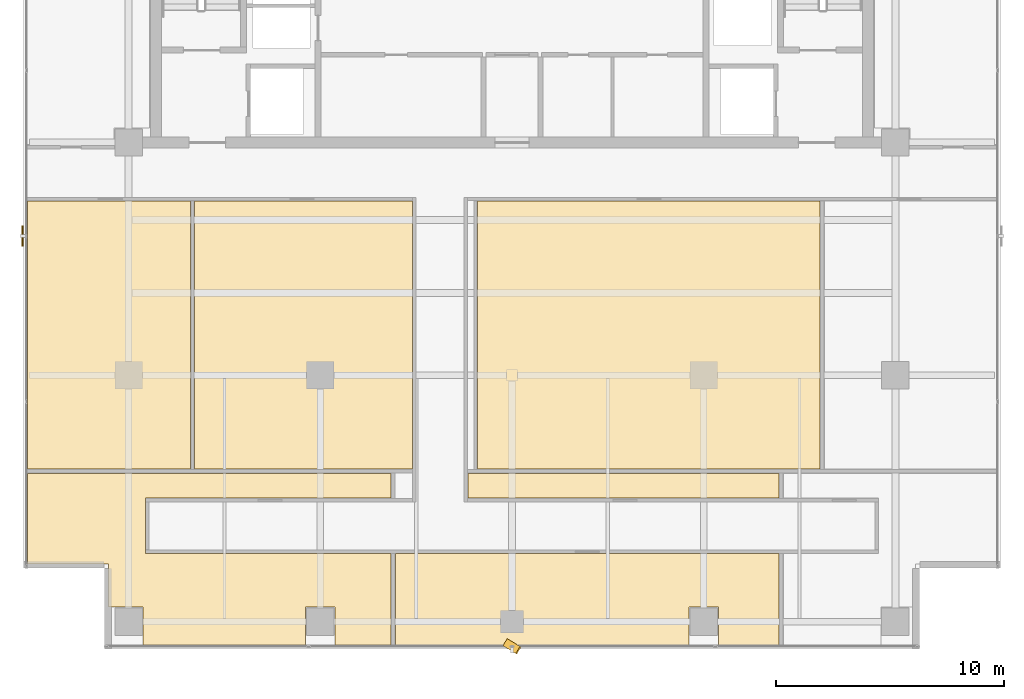
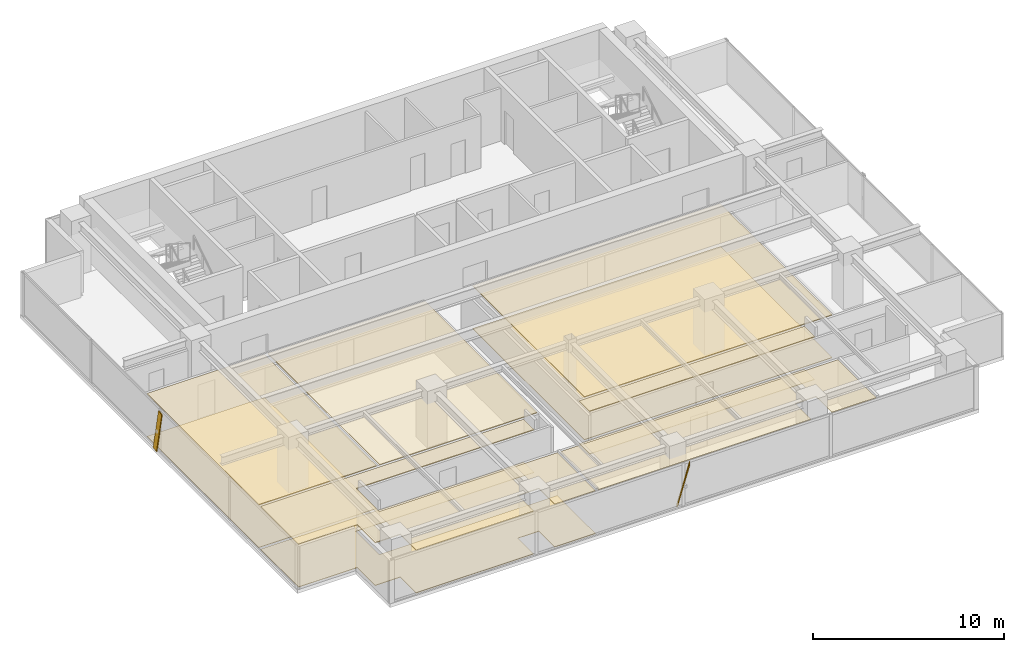
# One storey, part 17 of 20: 10 coverings, 2 shading devices.
"""IFC4 building model written with IfcOpenShell, lengths in metres."""

import ifcopenshell
import ifcopenshell.guid

model = None  # the IFC model being written
_history = None  # IfcOwnerHistory: only IFC2X3 demands one
_inside = {}  # id of a spatial element -> (the spatial element, [elements in it])
_under = {}  # id of a project, library or spatial element -> (it, [spatial elements below it])
_declared = {}  # id of a project -> (the project, [libraries it declares])
_typed = {}  # id of a type object -> (the type object, [elements of that type])
_made_of = {}  # id of a material, layer set ... -> (it, [elements and type objects made of it])


def new_model(schema):
    """Start an empty IFC model of exactly this schema.

    Asked for "IFC4X3", IfcOpenShell would pick the latest addendum, in which some entities
    have other attributes; the version numbers below select the first issue.
    IFC2X3 requires an IfcOwnerHistory on every rooted entity: one is made here for all.
    """
    global model, _history
    if schema == "IFC4X3":
        model = ifcopenshell.file(schema_version=(4, 3, 0, 0))
    else:
        model = ifcopenshell.file(schema=schema)
    _inside.clear()
    _under.clear()
    _declared.clear()
    _typed.clear()
    _made_of.clear()
    _history = None
    if model.schema == "IFC2X3":
        org = make("IfcOrganization", Name="unknown")
        user = make(
            "IfcPersonAndOrganization",
            ThePerson=make("IfcPerson", FamilyName="unknown"),
            TheOrganization=org,
        )
        app = make(
            "IfcApplication",
            ApplicationDeveloper=org,
            Version="unknown",
            ApplicationFullName="unknown",
            ApplicationIdentifier="unknown",
        )
        _history = make(
            "IfcOwnerHistory",
            OwningUser=user,
            OwningApplication=app,
            ChangeAction="ADDED",
            CreationDate=0,
        )
    return model


def make(cls, **values):
    """One entity of the class cls with the attributes given. An attribute that is None is left unset."""
    return model.create_entity(
        cls, **{name: value for name, value in values.items() if value is not None}
    )


def rooted(cls, **values):
    """An entity with a GlobalId (a new one), such as an element, a storey or a relation."""
    return make(cls, GlobalId=ifcopenshell.guid.new(), OwnerHistory=_history, **values)


def si_unit(unit_type, name, prefix=None):
    """IfcSIUnit, for example si_unit("LENGTHUNIT", "METRE", prefix="MILLI")."""
    return make("IfcSIUnit", UnitType=unit_type, Prefix=prefix, Name=name)


def assignment(units):
    """IfcUnitAssignment: the units of a project."""
    return None if units is None else make("IfcUnitAssignment", Units=units)


def point(xyz):
    """IfcCartesianPoint."""
    return None if xyz is None else make("IfcCartesianPoint", Coordinates=xyz)


def direction(xyz):
    """IfcDirection."""
    return None if xyz is None else make("IfcDirection", DirectionRatios=xyz)


def frame(location, z_axis=None, x_axis=None):
    """IfcAxis2Placement3D, a coordinate frame: its origin and axes. An axis left out is left unset."""
    return make(
        "IfcAxis2Placement3D",
        Location=point(location),
        Axis=direction(z_axis),
        RefDirection=direction(x_axis),
    )


def frame_2d(location, x_axis=None):
    """IfcAxis2Placement2D, a coordinate frame in the plane: its origin and x axis."""
    return make(
        "IfcAxis2Placement2D", Location=point(location), RefDirection=direction(x_axis)
    )


def origin():
    """The frame at (0, 0, 0) with its axes left unset."""
    return frame((0.0, 0.0, 0.0))


def origin_2d():
    """The frame at (0, 0) in the plane with its x axis left unset."""
    return frame_2d((0.0, 0.0))


def place(relative_to, where):
    """IfcLocalPlacement: puts the frame where relative to a parent placement (None: the world)."""
    return make(
        "IfcLocalPlacement", PlacementRelTo=relative_to, RelativePlacement=where
    )


def context(
    kind, dimensions, precision=None, world=None, true_north=None, identifier=None
):
    """IfcGeometricRepresentationContext, for example the 3D "Model" context."""
    return make(
        "IfcGeometricRepresentationContext",
        ContextIdentifier=identifier,
        ContextType=kind,
        CoordinateSpaceDimension=dimensions,
        Precision=precision,
        WorldCoordinateSystem=world,
        TrueNorth=true_north,
    )


def subcontext(parent, identifier, kind, view, scale=None):
    """IfcGeometricRepresentationSubContext, for example "Body" below "Model"."""
    return make(
        "IfcGeometricRepresentationSubContext",
        ContextIdentifier=identifier,
        ContextType=kind,
        ParentContext=parent,
        TargetScale=scale,
        TargetView=view,
    )


def project(units=None, contexts=None):
    """IfcProject with its units and contexts."""
    return rooted(
        "IfcProject",
        Name="project",
        RepresentationContexts=contexts,
        UnitsInContext=assignment(units),
    )


def spatial(cls, under=None, at=None, **own):
    """A site, building, storey or space (cls), placed at a placement, below another one or the project."""
    s = rooted(cls, ObjectPlacement=at, **own)
    if under is not None:
        _under.setdefault(under.id(), (under, []))[1].append(s)
    return s


def polyline(points):
    """IfcPolyline through the points."""
    return make("IfcPolyline", Points=[point(p) for p in points])


def profile(cls, at=None, kind="AREA", **sizes):
    """A parametric profile (cls). Its sizes go by their IFC names, for example OverallWidth=200.0."""
    return make(cls, ProfileType=kind, Position=at, **sizes)


def rectangle(**sizes):
    """IfcRectangleProfileDef."""
    return profile("IfcRectangleProfileDef", **sizes)


def outline(outer, holes=None, kind="AREA"):
    """IfcArbitraryClosedProfileDef: a profile drawn as a closed curve; with holes, ...WithVoids."""
    if holes is None:
        return make("IfcArbitraryClosedProfileDef", ProfileType=kind, OuterCurve=outer)
    return make(
        "IfcArbitraryProfileDefWithVoids",
        ProfileType=kind,
        OuterCurve=outer,
        InnerCurves=holes,
    )


def extrude(swept, where, along, depth):
    """IfcExtrudedAreaSolid: the profile swept, set in the frame where, extruded along a direction by depth."""
    return make(
        "IfcExtrudedAreaSolid",
        SweptArea=swept,
        Position=where,
        ExtrudedDirection=direction(along),
        Depth=depth,
    )


def shape(context_of_items, identifier, shape_type, items):
    """IfcShapeRepresentation: the items that make up one representation, for example the "Body"."""
    return make(
        "IfcShapeRepresentation",
        ContextOfItems=context_of_items,
        RepresentationIdentifier=identifier,
        RepresentationType=shape_type,
        Items=items,
    )


def source(mapping_origin, context_of_items, identifier, shape_type, items):
    """IfcRepresentationMap: a shape defined once, which mapped items show again and again."""
    return make(
        "IfcRepresentationMap",
        MappingOrigin=mapping_origin,
        MappedRepresentation=shape(context_of_items, identifier, shape_type, items),
    )


def transform(
    local_origin,
    x_axis=None,
    y_axis=None,
    z_axis=None,
    scale=None,
    scale2=None,
    scale3=None,
    uniform=True,
):
    """IfcCartesianTransformationOperator3D, or its non-uniform kind. x_axis, y_axis, z_axis: its Axis1, 2, 3."""
    if uniform:
        return make(
            "IfcCartesianTransformationOperator3D",
            Axis1=direction(x_axis),
            Axis2=direction(y_axis),
            LocalOrigin=point(local_origin),
            Scale=scale,
            Axis3=direction(z_axis),
        )
    return make(
        "IfcCartesianTransformationOperator3DnonUniform",
        Axis1=direction(x_axis),
        Axis2=direction(y_axis),
        LocalOrigin=point(local_origin),
        Scale=scale,
        Axis3=direction(z_axis),
        Scale2=scale2,
        Scale3=scale3,
    )


def mapped(mapping_source, mapping_target):
    """IfcMappedItem: shows the shape of a source again, moved by a transform."""
    return make(
        "IfcMappedItem", MappingSource=mapping_source, MappingTarget=mapping_target
    )


def material(Name=None, Category=None):
    """IfcMaterial."""
    return make("IfcMaterial", Name=Name, Category=Category)


def layer(
    of_material, thickness, ventilated=None, Name=None, Category=None, Priority=None
):
    """IfcMaterialLayer: one layer of a wall or slab, of a material (None: an air gap)."""
    return make(
        "IfcMaterialLayer",
        Material=of_material,
        LayerThickness=thickness,
        IsVentilated=ventilated,
        Name=Name,
        Category=Category,
        Priority=Priority,
    )


def layer_set(layers, Name=None):
    """IfcMaterialLayerSet."""
    return make("IfcMaterialLayerSet", MaterialLayers=layers, LayerSetName=Name)


def material_profile(
    of_material, cross_section, Name=None, Category=None, Priority=None
):
    """IfcMaterialProfile: a cross section and its material."""
    return make(
        "IfcMaterialProfile",
        Name=Name,
        Material=of_material,
        Profile=cross_section,
        Priority=Priority,
        Category=Category,
    )


def profile_set(profiles, Name=None, composite=None):
    """IfcMaterialProfileSet."""
    return make(
        "IfcMaterialProfileSet",
        Name=Name,
        MaterialProfiles=profiles,
        CompositeProfile=composite,
    )


def made_of(thing, what):
    """Note that an element or type object is made of a material, layer set ...; save() writes the relation."""
    if what is not None:
        _made_of.setdefault(what.id(), (what, []))[1].append(thing)
    return thing


def type_object(cls, material=None, **own):
    """A type object (cls), such as IfcWallType, which elements share."""
    return made_of(rooted(cls, **own), material)


def element(
    cls,
    number,
    at=None,
    inside=None,
    cuts=None,
    type_object=None,
    material=None,
    context=None,
    identifier="Body",
    shape_type=None,
    held_by="IfcProductDefinitionShape",
    body=None,
    shapes=None,
    **own,
):
    """One element of the class cls, such as IfcWall. Its Tag is "e" and its number.

    at: its placement. inside: the storey or other place that contains it. cuts: it is an
    opening in that element (IfcRelVoidsElement). A single representation is given by context,
    identifier, shape_type and body (its items); several are given by shapes. held_by: the class
    of the entity that holds the representations. save() writes the other relations.
    """
    e = rooted(cls, Tag="e%d" % number, ObjectPlacement=at, **own)
    if body is not None:
        shapes = [shape(context, identifier, shape_type, body)]
    if shapes is not None:
        e.Representation = make(held_by, Representations=shapes)
    if inside is not None:
        _inside.setdefault(inside.id(), (inside, []))[1].append(e)
    if cuts is not None:
        rooted(
            "IfcRelVoidsElement", RelatingBuildingElement=cuts, RelatedOpeningElement=e
        )
    if type_object is not None:
        _typed.setdefault(type_object.id(), (type_object, []))[1].append(e)
    return made_of(e, material)


def aggregate(whole, parts):
    """IfcRelAggregates: a whole, such as a stair, and the parts it consists of."""
    return rooted("IfcRelAggregates", RelatingObject=whole, RelatedObjects=parts)


def save(model, path):
    """Write the relations noted so far, then the file.

    IfcRelAggregates (storeys below a building ...), IfcRelContainedInSpatialStructure (elements
    in a storey), IfcRelDefinesByType, IfcRelAssociatesMaterial and IfcRelDeclares: one each for
    every whole, place, type object, material and project.
    """
    for whole, parts in _under.values():
        aggregate(whole, parts)
    for where, things in _inside.values():
        rooted(
            "IfcRelContainedInSpatialStructure",
            RelatedElements=things,
            RelatingStructure=where,
        )
    for kind, things in _typed.values():
        rooted("IfcRelDefinesByType", RelatedObjects=things, RelatingType=kind)
    for what, things in _made_of.values():
        rooted("IfcRelAssociatesMaterial", RelatedObjects=things, RelatingMaterial=what)
    for by, libraries in _declared.values():
        rooted("IfcRelDeclares", RelatingContext=by, RelatedDefinitions=libraries)
    model.write(path)


model = new_model("IFC4")

# Units and contexts
model_context = context("Model", 3, precision=1e-05, world=origin(), true_north=direction((0.0, 1.0)))
body_context = subcontext(model_context, "Body", "Model", "MODEL_VIEW")
ifc_project = project(units=[si_unit("LENGTHUNIT", "METRE"), si_unit("AREAUNIT", "SQUARE_METRE"), si_unit("VOLUMEUNIT", "CUBIC_METRE"), si_unit("PLANEANGLEUNIT", "RADIAN"), si_unit("MASSUNIT", "GRAM", prefix="KILO")], contexts=[model_context])

# Site, building, storey
site_placement = place(None, origin())
site = spatial("IfcSite", under=ifc_project, at=site_placement, CompositionType="ELEMENT")
building_placement = place(site_placement, origin())
building = spatial("IfcBuilding", under=site, at=building_placement, Name="Sumidabori Civic Tower", CompositionType="ELEMENT")
storey_placement = place(building_placement, frame((0.0, 0.0, 282.800048828125)))
storey = spatial("IfcBuildingStorey", under=building, at=storey_placement, Name="L74", CompositionType="ELEMENT", Elevation=282.800048828125)

# Coverings
ifc_material_1 = material(Name="Anodised Bronze Baffle Ceiling")
ifc_layer_1 = layer(ifc_material_1, 0.054931640625, Name="Anodised Bronze Baffle Ceiling")
ifc_layer_set_1 = layer_set([ifc_layer_1], Name="Anodised Bronze Baffle Ceiling")
covering_type_1 = type_object("IfcCoveringType", Name="CV-CEIL-AC3", PredefinedType="CEILING", material=ifc_layer_set_1)
covering_1_placement = place(storey_placement, frame((0.0, 0.0, 2.719970703125)))
element("IfcCovering", 1, at=covering_1_placement, inside=storey, type_object=covering_type_1, Name="Room Acoustic Ceiling L74-03", PredefinedType="CEILING", context=body_context, shape_type="SweptSolid", body=[
    extrude(outline(polyline([(-21.22998046875, -4.10498046875), (-21.22998046875, 7.6298828125), (-14.094970703125, 7.6298828125), (-14.094970703125, -4.10498046875), (-21.22998046875, -4.10498046875)])), origin(), (0.0, 0.0, 1.0), 0.054931640625),
])
covering_2_placement = place(storey_placement, frame((0.0, 0.0, 2.719970703125)))
element("IfcCovering", 2, at=covering_2_placement, inside=storey, type_object=covering_type_1, Name="Room Acoustic Ceiling L74-04", PredefinedType="CEILING", context=body_context, shape_type="SweptSolid", body=[
    extrude(outline(polyline([(-13.905029296875, -4.10498046875), (-13.905029296875, 7.6298828125), (-4.3701171875, 7.6298828125), (-4.3701171875, -4.10498046875), (-13.905029296875, -4.10498046875)])), origin(), (0.0, 0.0, 1.0), 0.054931640625),
])
covering_3_placement = place(storey_placement, frame((0.0, 0.0, 2.719970703125)))
element("IfcCovering", 3, at=covering_3_placement, inside=storey, type_object=covering_type_1, Name="Room Acoustic Ceiling L74-05", PredefinedType="CEILING", context=body_context, shape_type="SweptSolid", body=[
    extrude(outline(polyline([(13.5048828125, 7.6298828125), (13.5048828125, -4.10498046875), (-1.5048828125, -4.10498046875), (-1.5048828125, 7.6298828125), (13.5048828125, 7.6298828125)])), origin(), (0.0, 0.0, 1.0), 0.054931640625),
])
covering_4_placement = place(storey_placement, frame((0.0, 0.0, 2.719970703125)))
element("IfcCovering", 4, at=covering_4_placement, inside=storey, type_object=covering_type_1, Name="Room Acoustic Ceiling L74-07", PredefinedType="CEILING", context=body_context, shape_type="SweptSolid", body=[
    extrude(outline(polyline([(-1.929931640625, -5.3798828125), (-1.929931640625, -4.294921875), (11.705078125, -4.294921875), (11.705078125, -5.3798828125), (-1.929931640625, -5.3798828125)])), origin(), (0.0, 0.0, 1.0), 0.054931640625),
])
covering_5_placement = place(storey_placement, frame((0.0, 0.0, 2.719970703125)))
element("IfcCovering", 5, at=covering_5_placement, inside=storey, type_object=covering_type_1, Name="Room Acoustic Ceiling L74-09", PredefinedType="CEILING", context=body_context, shape_type="SweptSolid", body=[
    extrude(outline(polyline([(-17.679931640625, -8.280029296875), (-21.22998046875, -8.280029296875), (-21.22998046875, -4.294921875), (-5.294921875, -4.294921875), (-5.294921875, -5.3798828125), (-16.070068359375, -5.3798828125), (-16.070068359375, -7.820068359375), (-5.294921875, -7.820068359375), (-5.294921875, -11.830078125), (-7.760009765625, -11.830078125), (-7.760009765625, -10.159912109375), (-9.0400390625, -10.159912109375), (-9.0400390625, -11.830078125), (-16.159912109375, -11.830078125), (-16.159912109375, -10.159912109375), (-17.679931640625, -10.159912109375), (-17.679931640625, -8.280029296875)])), origin(), (0.0, 0.0, 1.0), 0.054931640625),
])
covering_6_placement = place(storey_placement, frame((0.0, 0.0, 2.719970703125)))
element("IfcCovering", 6, at=covering_6_placement, inside=storey, type_object=covering_type_1, Name="Room Acoustic Ceiling L74-10", PredefinedType="CEILING", context=body_context, shape_type="SweptSolid", body=[
    extrude(outline(polyline([(11.705078125, -7.820068359375), (11.705078125, -11.830078125), (9.0400390625, -11.830078125), (9.0400390625, -10.159912109375), (7.760009765625, -10.159912109375), (7.760009765625, -11.830078125), (-5.10498046875, -11.830078125), (-5.10498046875, -7.820068359375), (11.705078125, -7.820068359375)])), origin(), (0.0, 0.0, 1.0), 0.054931640625),
])
ifc_material_2 = material(Name="Honed Terrazzo Tile Flooring")
ifc_layer_2 = layer(ifc_material_2, 0.030029296875, Name="Honed Terrazzo Tile Flooring")
ifc_layer_set_2 = layer_set([ifc_layer_2], Name="Honed Terrazzo Tile Flooring")
covering_type_2 = type_object("IfcCoveringType", Name="CV-FLR-TER", PredefinedType="FLOORING", material=ifc_layer_set_2)
covering_7_placement = place(storey_placement, origin())
element("IfcCovering", 7, at=covering_7_placement, inside=storey, type_object=covering_type_2, Name="Room Terrazzo Floor L74-03", PredefinedType="FLOORING", context=body_context, shape_type="SweptSolid", body=[
    extrude(outline(polyline([(-21.22998046875, -4.10498046875), (-21.22998046875, 7.6298828125), (-14.094970703125, 7.6298828125), (-14.094970703125, -4.10498046875), (-21.22998046875, -4.10498046875)])), origin(), (0.0, 0.0, 1.0), 0.030029296875),
])
covering_8_placement = place(storey_placement, origin())
element("IfcCovering", 8, at=covering_8_placement, inside=storey, type_object=covering_type_2, Name="Room Terrazzo Floor L74-05", PredefinedType="FLOORING", context=body_context, shape_type="SweptSolid", body=[
    extrude(outline(polyline([(13.5048828125, 7.6298828125), (13.5048828125, -4.10498046875), (-1.5048828125, -4.10498046875), (-1.5048828125, 7.6298828125), (13.5048828125, 7.6298828125)])), origin(), (0.0, 0.0, 1.0), 0.030029296875),
])
covering_9_placement = place(storey_placement, origin())
element("IfcCovering", 9, at=covering_9_placement, inside=storey, type_object=covering_type_2, Name="Room Terrazzo Floor L74-07", PredefinedType="FLOORING", context=body_context, shape_type="SweptSolid", body=[
    extrude(outline(polyline([(-1.929931640625, -5.3798828125), (-1.929931640625, -4.294921875), (11.705078125, -4.294921875), (11.705078125, -5.3798828125), (-1.929931640625, -5.3798828125)])), origin(), (0.0, 0.0, 1.0), 0.030029296875),
])
covering_10_placement = place(storey_placement, origin())
element("IfcCovering", 10, at=covering_10_placement, inside=storey, type_object=covering_type_2, Name="Room Terrazzo Floor L74-09", PredefinedType="FLOORING", context=body_context, shape_type="SweptSolid", body=[
    extrude(outline(polyline([(-17.679931640625, -8.280029296875), (-21.22998046875, -8.280029296875), (-21.22998046875, -4.294921875), (-5.294921875, -4.294921875), (-5.294921875, -5.3798828125), (-16.070068359375, -5.3798828125), (-16.070068359375, -7.820068359375), (-5.294921875, -7.820068359375), (-5.294921875, -11.830078125), (-7.760009765625, -11.830078125), (-7.760009765625, -10.159912109375), (-9.0400390625, -10.159912109375), (-9.0400390625, -11.830078125), (-16.159912109375, -11.830078125), (-16.159912109375, -10.159912109375), (-17.679931640625, -10.159912109375), (-17.679931640625, -8.280029296875)])), origin(), (0.0, 0.0, 1.0), 0.030029296875),
])

# Shading devices
ifc_material_3 = material(Name="Anodised Bronze Aluminium AW-6063-T6", Category="aluminium")
ifc_material_profile = material_profile(ifc_material_3, rectangle(XDim=0.054931640625, YDim=0.360107421875, at=origin_2d()), Name="BRONZE FIN 360x55")
ifc_profile_set = profile_set([ifc_material_profile], Name="Anodised Bronze Aluminium AW-6063-T6")
shading_device_type = type_object("IfcShadingDeviceType", Name="SH-FIN-360", PredefinedType="USERDEFINED", material=ifc_profile_set)
shared_shape_1 = source(origin(), body_context, "Body", "SweptSolid", [
    extrude(rectangle(XDim=0.054931640625, YDim=0.360107421875, at=origin_2d()), origin(), (0.0, 0.0, 1.0), 2.7685546875),
])
shading_device_1_placement = place(storey_placement, frame((-0.280029296875, -11.7099609375, 0.02001953125), z_axis=(0.202289930374, -0.122837782481, 0.971591304646), x_axis=(0.830469701518, -0.504291322674, -0.236665030656)))
element("IfcShadingDevice", 11, at=shading_device_1_placement, inside=storey, type_object=shading_device_type, Name="Bronze Anodised Diagonal Fin L74-02", ObjectType="FIN", PredefinedType="USERDEFINED", context=body_context, shape_type="MappedRepresentation", body=[
    mapped(shared_shape_1, transform((0.0, 0.0, 0.0), x_axis=(1.0, 0.0, 0.0), y_axis=(0.0, 1.0, 0.0), z_axis=(0.0, 0.0, 1.0), scale=1.0)),
])
shared_shape_2 = source(origin(), body_context, "Body", "SweptSolid", [
    extrude(rectangle(XDim=0.054931640625, YDim=0.360107421875, at=origin_2d()), origin(), (0.0, 0.0, 1.0), 2.74755859375),
])
shading_device_2_placement = place(storey_placement, frame((-21.449951171875, 6.3798828125, 0.02001953125), z_axis=(0.0, -0.203748445037, 0.979023274057), x_axis=(-1.0, 0.0, 0.0)))
element("IfcShadingDevice", 12, at=shading_device_2_placement, inside=storey, type_object=shading_device_type, Name="Bronze Anodised Diagonal Fin L74-02", ObjectType="FIN", PredefinedType="USERDEFINED", context=body_context, shape_type="MappedRepresentation", body=[
    mapped(shared_shape_2, transform((0.0, 0.0, 0.0), x_axis=(1.0, 0.0, 0.0), y_axis=(0.0, 1.0, 0.0), z_axis=(0.0, 0.0, 1.0), scale=1.0)),
])

save(model, "model.ifc")
